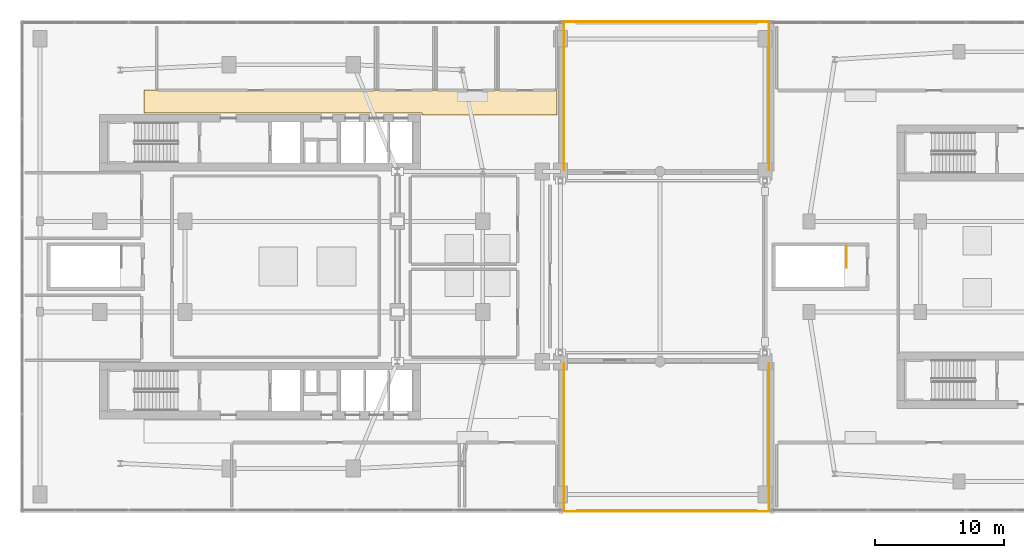
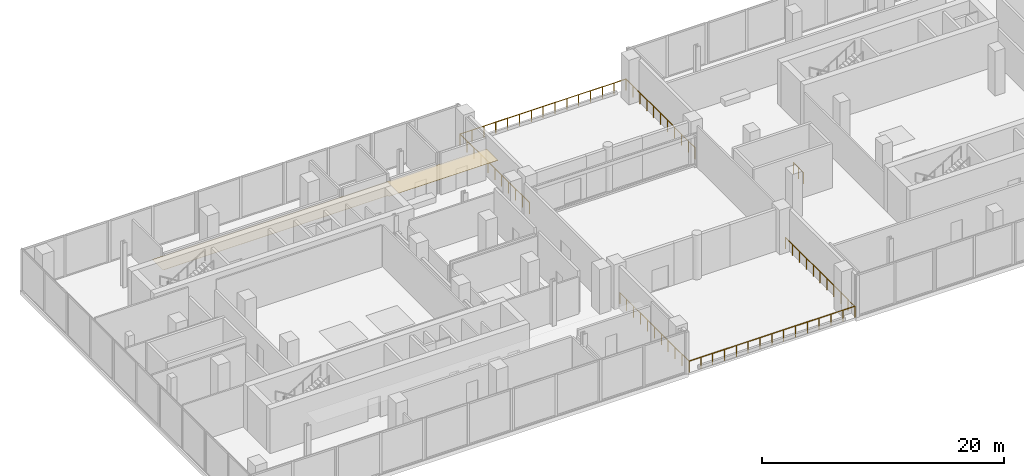
# One storey, part 20 of 21: 7 railings, 1 covering.
"""IFC4 building model written with IfcOpenShell, lengths in metres."""

from ifc_helpers import new_model, si_unit, derived_unit, direction, frame, origin, origin_2d, place, context, subcontext, project, spatial, polyline, circle, outline, extrude, material, layer, layer_set, type_object, element, save


model = new_model("IFC4")

# Units and contexts
model_context = context("Model", 3, precision=1e-05, world=origin(), true_north=direction((0.0, 1.0)))
body_context = subcontext(model_context, "Body", "Model", "MODEL_VIEW")
ifc_project = project(units=[si_unit("LENGTHUNIT", "METRE"), si_unit("AREAUNIT", "SQUARE_METRE"), si_unit("VOLUMEUNIT", "CUBIC_METRE"), si_unit("PLANEANGLEUNIT", "RADIAN"), si_unit("MASSUNIT", "GRAM", prefix="KILO"), derived_unit("THERMALTRANSMITTANCEUNIT", [(si_unit("POWERUNIT", "WATT"), 1), (si_unit("LENGTHUNIT", "METRE"), -2), (si_unit("THERMODYNAMICTEMPERATUREUNIT", "KELVIN"), -1)])], contexts=[model_context])

# Site, building, storey
site_placement = place(None, origin())
site = spatial("IfcSite", under=ifc_project, at=site_placement, CompositionType="ELEMENT")
building_placement = place(site_placement, origin())
building = spatial("IfcBuilding", under=site, at=building_placement, Name="Kivonza Crest Hotel", CompositionType="ELEMENT")
storey_placement = place(building_placement, frame((0.0, 0.0, 19.5)))
storey = spatial("IfcBuildingStorey", under=building, at=storey_placement, Name="L04", CompositionType="ELEMENT", Elevation=19.5)

# Covering
ifc_material_1 = material(Name="Mineral-fibre acoustic ceiling tile", Category="gypsum")
ifc_layer = layer(ifc_material_1, 0.02490234375)
ifc_layer_set = layer_set([ifc_layer], Name="Mineral-fibre acoustic ceiling tile")
covering_type = type_object("IfcCoveringType", Name="CV-CEIL-ACOU", PredefinedType="CEILING", material=ifc_layer_set)
covering_placement = place(storey_placement, frame((0.0, 0.0, 3.0)))
element("IfcCovering", 1, at=covering_placement, inside=storey, type_object=covering_type, Name="L04 L04 Hotel North and West Corridor suspended ceiling", PredefinedType="CEILING", context=body_context, shape_type="SweptSolid", body=[
    extrude(outline(polyline([(41.5400390625, 38.639892578125), (9.610107421875, 38.639892578125), (9.610107421875, 36.860107421875), (31.10009765625, 36.860107421875), (31.10009765625, 36.719970703125), (41.5400390625, 36.719970703125), (41.5400390625, 38.639892578125)])), origin(), (0.0, 0.0, 1.0), 0.02490234375),
])

# Railings
ifc_material_2 = material(Name="Painted steel balustrade", Category="steel")
railing_type_1 = type_object("IfcRailingType", Name="RL-STAIR-1150", PredefinedType="BALUSTRADE", material=ifc_material_2)
railing_1_placement = place(storey_placement, frame((63.889892578125, 26.580078125, 0.0)))
element("IfcRailing", 2, at=railing_1_placement, inside=storey, type_object=railing_type_1, Name="L04 ST-POD-E top well guard 1", PredefinedType="BALUSTRADE", context=body_context, shape_type="SweptSolid", body=[
    extrude(circle(Radius=0.02392578125, at=origin_2d()), frame((0.0, 0.0, 1.1259765625), z_axis=(0.0, -1.0, 0.0), x_axis=(1.0, 0.0, 0.0)), (0.0, 0.0, 1.0), 1.64013671875),
    extrude(circle(Radius=0.02099609375, at=origin_2d()), origin(), (0.0, 0.0, 1.0), 1.101806640625),
    extrude(circle(Radius=0.02099609375, at=origin_2d()), frame((0.0, -0.820068359375, 0.0)), (0.0, 0.0, 1.0), 1.101806640625),
    extrude(circle(Radius=0.02099609375, at=origin_2d()), frame((0.0, -1.64013671875, 0.0)), (0.0, 0.0, 1.0), 1.101806640625),
])
ifc_material_3 = material(Name="Laminated glass and stainless steel balustrade", Category="steel")
railing_type_2 = type_object("IfcRailingType", Name="RL-TERR-1150", PredefinedType="BALUSTRADE", material=ifc_material_3)
railing_2_placement = place(storey_placement, frame((42.080078125, 6.080078125, 0.0)))
element("IfcRailing", 3, at=railing_2_placement, inside=storey, type_object=railing_type_2, Name="L04 POD-L04-T1 perimeter safety balustrade 1", PredefinedType="BALUSTRADE", context=body_context, shape_type="SweptSolid", body=[
    extrude(circle(Radius=0.02392578125, at=origin_2d()), frame((0.0, 0.0, 1.1259765625), z_axis=(0.0, 1.0, 0.0), x_axis=(-1.0, 0.0, 0.0)), (0.0, 0.0, 1.0), 11.43994140625),
    extrude(circle(Radius=0.02099609375, at=origin_2d()), origin(), (0.0, 0.0, 1.0), 1.101806640625),
    extrude(circle(Radius=0.02099609375, at=origin_2d()), frame((0.0, 1.14404296875, 0.0)), (0.0, 0.0, 1.0), 1.101806640625),
    extrude(circle(Radius=0.02099609375, at=origin_2d()), frame((0.0, 2.2880859375, 0.0)), (0.0, 0.0, 1.0), 1.101806640625),
    extrude(circle(Radius=0.02099609375, at=origin_2d()), frame((0.0, 3.431884765625, 0.0)), (0.0, 0.0, 1.0), 1.101806640625),
    extrude(circle(Radius=0.02099609375, at=origin_2d()), frame((0.0, 4.575927734375, 0.0)), (0.0, 0.0, 1.0), 1.101806640625),
    extrude(circle(Radius=0.02099609375, at=origin_2d()), frame((0.0, 5.719970703125, 0.0)), (0.0, 0.0, 1.0), 1.101806640625),
    extrude(circle(Radius=0.02099609375, at=origin_2d()), frame((0.0, 6.864013671875, 0.0)), (0.0, 0.0, 1.0), 1.101806640625),
    extrude(circle(Radius=0.02099609375, at=origin_2d()), frame((0.0, 8.008056640625, 0.0)), (0.0, 0.0, 1.0), 1.101806640625),
    extrude(circle(Radius=0.02099609375, at=origin_2d()), frame((0.0, 9.15185546875, 0.0)), (0.0, 0.0, 1.0), 1.101806640625),
    extrude(circle(Radius=0.02099609375, at=origin_2d()), frame((0.0, 10.2958984375, 0.0)), (0.0, 0.0, 1.0), 1.101806640625),
    extrude(circle(Radius=0.02099609375, at=origin_2d()), frame((0.0, 11.43994140625, 0.0)), (0.0, 0.0, 1.0), 1.101806640625),
])
railing_3_placement = place(storey_placement, frame((57.919921875, 17.52001953125, 0.0)))
element("IfcRailing", 4, at=railing_3_placement, inside=storey, type_object=railing_type_2, Name="L04 POD-L04-T1 perimeter safety balustrade 2", PredefinedType="BALUSTRADE", context=body_context, shape_type="SweptSolid", body=[
    extrude(circle(Radius=0.02392578125, at=origin_2d()), frame((0.0, 0.0, 1.1259765625), z_axis=(0.0, -1.0, 0.0), x_axis=(1.0, 0.0, 0.0)), (0.0, 0.0, 1.0), 11.43994140625),
    extrude(circle(Radius=0.02099609375, at=origin_2d()), origin(), (0.0, 0.0, 1.0), 1.101806640625),
    extrude(circle(Radius=0.02099609375, at=origin_2d()), frame((0.0, -1.14404296875, 0.0)), (0.0, 0.0, 1.0), 1.101806640625),
    extrude(circle(Radius=0.02099609375, at=origin_2d()), frame((0.0, -2.2880859375, 0.0)), (0.0, 0.0, 1.0), 1.101806640625),
    extrude(circle(Radius=0.02099609375, at=origin_2d()), frame((0.0, -3.431884765625, 0.0)), (0.0, 0.0, 1.0), 1.101806640625),
    extrude(circle(Radius=0.02099609375, at=origin_2d()), frame((0.0, -4.575927734375, 0.0)), (0.0, 0.0, 1.0), 1.101806640625),
    extrude(circle(Radius=0.02099609375, at=origin_2d()), frame((0.0, -5.719970703125, 0.0)), (0.0, 0.0, 1.0), 1.101806640625),
    extrude(circle(Radius=0.02099609375, at=origin_2d()), frame((0.0, -6.864013671875, 0.0)), (0.0, 0.0, 1.0), 1.101806640625),
    extrude(circle(Radius=0.02099609375, at=origin_2d()), frame((0.0, -8.008056640625, 0.0)), (0.0, 0.0, 1.0), 1.101806640625),
    extrude(circle(Radius=0.02099609375, at=origin_2d()), frame((0.0, -9.15185546875, 0.0)), (0.0, 0.0, 1.0), 1.101806640625),
    extrude(circle(Radius=0.02099609375, at=origin_2d()), frame((0.0, -10.2958984375, 0.0)), (0.0, 0.0, 1.0), 1.101806640625),
    extrude(circle(Radius=0.02099609375, at=origin_2d()), frame((0.0, -11.43994140625, 0.0)), (0.0, 0.0, 1.0), 1.101806640625),
])
railing_4_placement = place(storey_placement, frame((57.919921875, 6.080078125, 0.0)))
element("IfcRailing", 5, at=railing_4_placement, inside=storey, type_object=railing_type_2, Name="L04 POD-L04-T1 perimeter safety balustrade 3", PredefinedType="BALUSTRADE", context=body_context, shape_type="SweptSolid", body=[
    extrude(circle(Radius=0.02392578125, at=origin_2d()), frame((0.0, 0.0, 1.1259765625), z_axis=(-1.0, 0.0, 0.0), x_axis=(0.0, -1.0, 0.0)), (0.0, 0.0, 1.0), 15.83984375),
    extrude(circle(Radius=0.02099609375, at=origin_2d()), origin(), (0.0, 0.0, 1.0), 1.101806640625),
    extrude(circle(Radius=0.02099609375, at=origin_2d()), frame((-1.13134765625, 0.0, 0.0)), (0.0, 0.0, 1.0), 1.101806640625),
    extrude(circle(Radius=0.02099609375, at=origin_2d()), frame((-2.262939453125, 0.0, 0.0)), (0.0, 0.0, 1.0), 1.101806640625),
    extrude(circle(Radius=0.02099609375, at=origin_2d()), frame((-3.394287109375, 0.0, 0.0)), (0.0, 0.0, 1.0), 1.101806640625),
    extrude(circle(Radius=0.02099609375, at=origin_2d()), frame((-4.525634765625, 0.0, 0.0)), (0.0, 0.0, 1.0), 1.101806640625),
    extrude(circle(Radius=0.02099609375, at=origin_2d()), frame((-5.656982421875, 0.0, 0.0)), (0.0, 0.0, 1.0), 1.101806640625),
    extrude(circle(Radius=0.02099609375, at=origin_2d()), frame((-6.78857421875, 0.0, 0.0)), (0.0, 0.0, 1.0), 1.101806640625),
    extrude(circle(Radius=0.02099609375, at=origin_2d()), frame((-7.919921875, 0.0, 0.0)), (0.0, 0.0, 1.0), 1.101806640625),
    extrude(circle(Radius=0.02099609375, at=origin_2d()), frame((-9.05126953125, 0.0, 0.0)), (0.0, 0.0, 1.0), 1.101806640625),
    extrude(circle(Radius=0.02099609375, at=origin_2d()), frame((-10.182861328125, 0.0, 0.0)), (0.0, 0.0, 1.0), 1.101806640625),
    extrude(circle(Radius=0.02099609375, at=origin_2d()), frame((-11.314208984375, 0.0, 0.0)), (0.0, 0.0, 1.0), 1.101806640625),
    extrude(circle(Radius=0.02099609375, at=origin_2d()), frame((-12.445556640625, 0.0, 0.0)), (0.0, 0.0, 1.0), 1.101806640625),
    extrude(circle(Radius=0.02099609375, at=origin_2d()), frame((-13.576904296875, 0.0, 0.0)), (0.0, 0.0, 1.0), 1.101806640625),
    extrude(circle(Radius=0.02099609375, at=origin_2d()), frame((-14.70849609375, 0.0, 0.0)), (0.0, 0.0, 1.0), 1.101806640625),
    extrude(circle(Radius=0.02099609375, at=origin_2d()), frame((-15.83984375, 0.0, 0.0)), (0.0, 0.0, 1.0), 1.101806640625),
])
railing_5_placement = place(storey_placement, frame((42.080078125, 32.47998046875, 0.0)))
element("IfcRailing", 6, at=railing_5_placement, inside=storey, type_object=railing_type_2, Name="L04 POD-L04-T2 perimeter safety balustrade 1", PredefinedType="BALUSTRADE", context=body_context, shape_type="SweptSolid", body=[
    extrude(circle(Radius=0.02392578125, at=origin_2d()), frame((0.0, 0.0, 1.1259765625), z_axis=(0.0, 1.0, 0.0), x_axis=(-1.0, 0.0, 0.0)), (0.0, 0.0, 1.0), 11.43994140625),
    extrude(circle(Radius=0.02099609375, at=origin_2d()), origin(), (0.0, 0.0, 1.0), 1.101806640625),
    extrude(circle(Radius=0.02099609375, at=origin_2d()), frame((0.0, 1.14404296875, 0.0)), (0.0, 0.0, 1.0), 1.101806640625),
    extrude(circle(Radius=0.02099609375, at=origin_2d()), frame((0.0, 2.2880859375, 0.0)), (0.0, 0.0, 1.0), 1.101806640625),
    extrude(circle(Radius=0.02099609375, at=origin_2d()), frame((0.0, 3.431884765625, 0.0)), (0.0, 0.0, 1.0), 1.101806640625),
    extrude(circle(Radius=0.02099609375, at=origin_2d()), frame((0.0, 4.575927734375, 0.0)), (0.0, 0.0, 1.0), 1.101806640625),
    extrude(circle(Radius=0.02099609375, at=origin_2d()), frame((0.0, 5.719970703125, 0.0)), (0.0, 0.0, 1.0), 1.101806640625),
    extrude(circle(Radius=0.02099609375, at=origin_2d()), frame((0.0, 6.864013671875, 0.0)), (0.0, 0.0, 1.0), 1.101806640625),
    extrude(circle(Radius=0.02099609375, at=origin_2d()), frame((0.0, 8.008056640625, 0.0)), (0.0, 0.0, 1.0), 1.101806640625),
    extrude(circle(Radius=0.02099609375, at=origin_2d()), frame((0.0, 9.15185546875, 0.0)), (0.0, 0.0, 1.0), 1.101806640625),
    extrude(circle(Radius=0.02099609375, at=origin_2d()), frame((0.0, 10.2958984375, 0.0)), (0.0, 0.0, 1.0), 1.101806640625),
    extrude(circle(Radius=0.02099609375, at=origin_2d()), frame((0.0, 11.43994140625, 0.0)), (0.0, 0.0, 1.0), 1.101806640625),
])
railing_6_placement = place(storey_placement, frame((42.080078125, 43.919921875, 0.0)))
element("IfcRailing", 7, at=railing_6_placement, inside=storey, type_object=railing_type_2, Name="L04 POD-L04-T2 perimeter safety balustrade 2", PredefinedType="BALUSTRADE", context=body_context, shape_type="SweptSolid", body=[
    extrude(circle(Radius=0.02392578125, at=origin_2d()), frame((0.0, 0.0, 1.1259765625), z_axis=(1.0, 0.0, 0.0), x_axis=(0.0, 1.0, 0.0)), (0.0, 0.0, 1.0), 15.83984375),
    extrude(circle(Radius=0.02099609375, at=origin_2d()), origin(), (0.0, 0.0, 1.0), 1.101806640625),
    extrude(circle(Radius=0.02099609375, at=origin_2d()), frame((1.13134765625, 0.0, 0.0)), (0.0, 0.0, 1.0), 1.101806640625),
    extrude(circle(Radius=0.02099609375, at=origin_2d()), frame((2.262939453125, 0.0, 0.0)), (0.0, 0.0, 1.0), 1.101806640625),
    extrude(circle(Radius=0.02099609375, at=origin_2d()), frame((3.394287109375, 0.0, 0.0)), (0.0, 0.0, 1.0), 1.101806640625),
    extrude(circle(Radius=0.02099609375, at=origin_2d()), frame((4.525634765625, 0.0, 0.0)), (0.0, 0.0, 1.0), 1.101806640625),
    extrude(circle(Radius=0.02099609375, at=origin_2d()), frame((5.656982421875, 0.0, 0.0)), (0.0, 0.0, 1.0), 1.101806640625),
    extrude(circle(Radius=0.02099609375, at=origin_2d()), frame((6.78857421875, 0.0, 0.0)), (0.0, 0.0, 1.0), 1.101806640625),
    extrude(circle(Radius=0.02099609375, at=origin_2d()), frame((7.919921875, 0.0, 0.0)), (0.0, 0.0, 1.0), 1.101806640625),
    extrude(circle(Radius=0.02099609375, at=origin_2d()), frame((9.05126953125, 0.0, 0.0)), (0.0, 0.0, 1.0), 1.101806640625),
    extrude(circle(Radius=0.02099609375, at=origin_2d()), frame((10.182861328125, 0.0, 0.0)), (0.0, 0.0, 1.0), 1.101806640625),
    extrude(circle(Radius=0.02099609375, at=origin_2d()), frame((11.314208984375, 0.0, 0.0)), (0.0, 0.0, 1.0), 1.101806640625),
    extrude(circle(Radius=0.02099609375, at=origin_2d()), frame((12.445556640625, 0.0, 0.0)), (0.0, 0.0, 1.0), 1.101806640625),
    extrude(circle(Radius=0.02099609375, at=origin_2d()), frame((13.576904296875, 0.0, 0.0)), (0.0, 0.0, 1.0), 1.101806640625),
    extrude(circle(Radius=0.02099609375, at=origin_2d()), frame((14.70849609375, 0.0, 0.0)), (0.0, 0.0, 1.0), 1.101806640625),
    extrude(circle(Radius=0.02099609375, at=origin_2d()), frame((15.83984375, 0.0, 0.0)), (0.0, 0.0, 1.0), 1.101806640625),
])
railing_7_placement = place(storey_placement, frame((57.919921875, 43.919921875, 0.0)))
element("IfcRailing", 8, at=railing_7_placement, inside=storey, type_object=railing_type_2, Name="L04 POD-L04-T2 perimeter safety balustrade 3", PredefinedType="BALUSTRADE", context=body_context, shape_type="SweptSolid", body=[
    extrude(circle(Radius=0.02392578125, at=origin_2d()), frame((0.0, 0.0, 1.1259765625), z_axis=(0.0, -1.0, 0.0), x_axis=(1.0, 0.0, 0.0)), (0.0, 0.0, 1.0), 11.43994140625),
    extrude(circle(Radius=0.02099609375, at=origin_2d()), origin(), (0.0, 0.0, 1.0), 1.101806640625),
    extrude(circle(Radius=0.02099609375, at=origin_2d()), frame((0.0, -1.14404296875, 0.0)), (0.0, 0.0, 1.0), 1.101806640625),
    extrude(circle(Radius=0.02099609375, at=origin_2d()), frame((0.0, -2.2880859375, 0.0)), (0.0, 0.0, 1.0), 1.101806640625),
    extrude(circle(Radius=0.02099609375, at=origin_2d()), frame((0.0, -3.431884765625, 0.0)), (0.0, 0.0, 1.0), 1.101806640625),
    extrude(circle(Radius=0.02099609375, at=origin_2d()), frame((0.0, -4.575927734375, 0.0)), (0.0, 0.0, 1.0), 1.101806640625),
    extrude(circle(Radius=0.02099609375, at=origin_2d()), frame((0.0, -5.719970703125, 0.0)), (0.0, 0.0, 1.0), 1.101806640625),
    extrude(circle(Radius=0.02099609375, at=origin_2d()), frame((0.0, -6.864013671875, 0.0)), (0.0, 0.0, 1.0), 1.101806640625),
    extrude(circle(Radius=0.02099609375, at=origin_2d()), frame((0.0, -8.008056640625, 0.0)), (0.0, 0.0, 1.0), 1.101806640625),
    extrude(circle(Radius=0.02099609375, at=origin_2d()), frame((0.0, -9.15185546875, 0.0)), (0.0, 0.0, 1.0), 1.101806640625),
    extrude(circle(Radius=0.02099609375, at=origin_2d()), frame((0.0, -10.2958984375, 0.0)), (0.0, 0.0, 1.0), 1.101806640625),
    extrude(circle(Radius=0.02099609375, at=origin_2d()), frame((0.0, -11.43994140625, 0.0)), (0.0, 0.0, 1.0), 1.101806640625),
])

save(model, "model.ifc")
